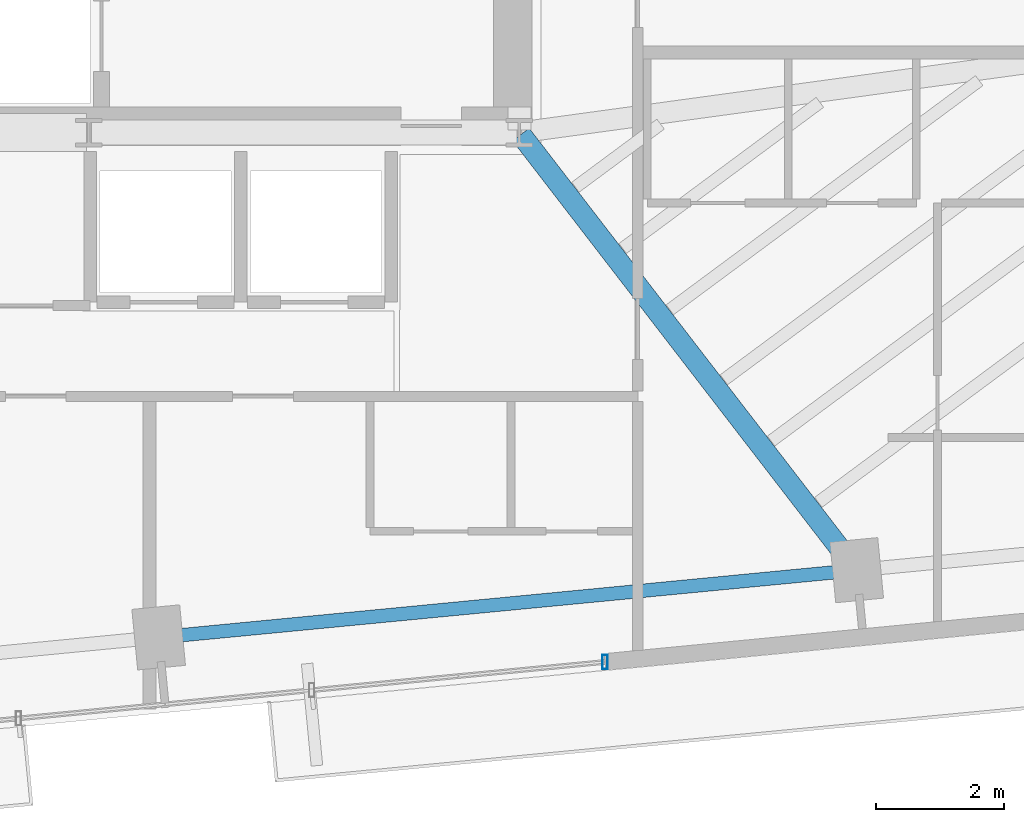
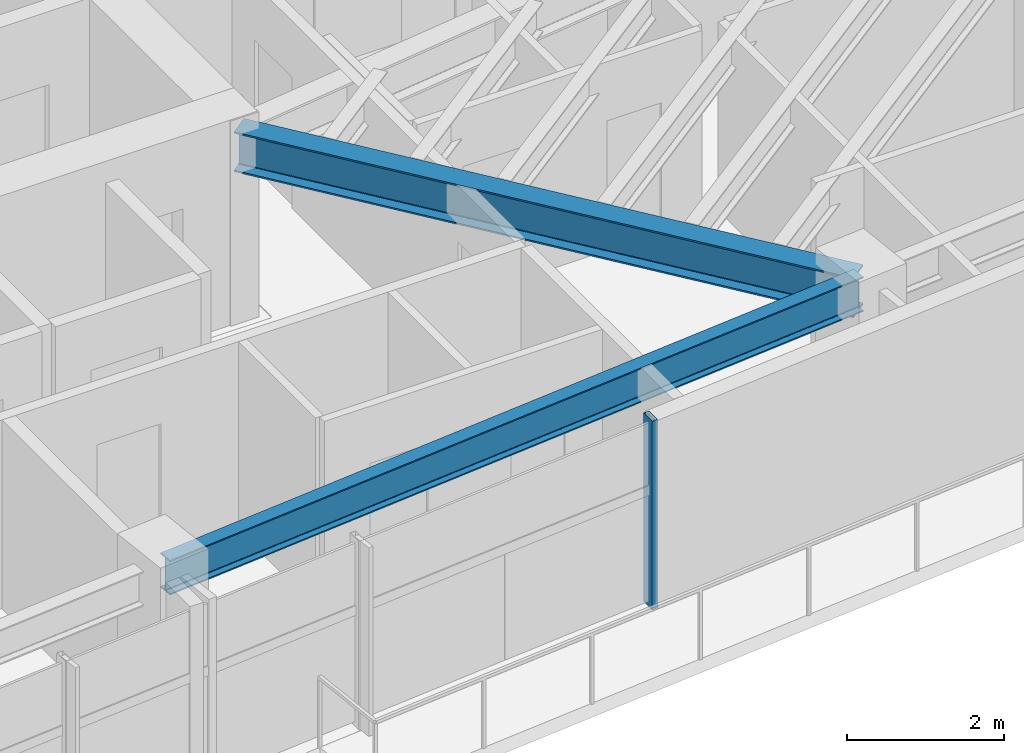
# One storey, part 8 of 18: 2 beams, 1 member, 1 element without a shape of its own.
"""IFC4 building model written with IfcOpenShell, lengths in metres."""

from ifc_helpers import new_model, si_unit, direction, frame, origin, origin_2d, place, context, subcontext, project, spatial, hollow_rectangle, i_section, extrude, source, transform, mapped, material, material_profile, profile_set, type_object, type_shapes, element, aggregate, save


model = new_model("IFC4")

# Units and contexts
model_context = context("Model", 3, precision=1e-05, world=origin(), true_north=direction((0.0, 1.0)))
body_context = subcontext(model_context, "Body", "Model", "MODEL_VIEW")
ifc_project = project(units=[si_unit("LENGTHUNIT", "METRE"), si_unit("AREAUNIT", "SQUARE_METRE"), si_unit("VOLUMEUNIT", "CUBIC_METRE"), si_unit("PLANEANGLEUNIT", "RADIAN"), si_unit("MASSUNIT", "GRAM", prefix="KILO")], contexts=[model_context])

# Site, building, storey
site_placement = place(None, origin())
site = spatial("IfcSite", under=ifc_project, at=site_placement, CompositionType="ELEMENT")
building_placement = place(site_placement, origin())
building = spatial("IfcBuilding", under=site, at=building_placement, Name="Astriad Promenade Condominiums", CompositionType="ELEMENT")
storey_placement = place(building_placement, frame((0.0, 0.0, 205.0)))
storey = spatial("IfcBuildingStorey", under=building, at=storey_placement, Name="L59", CompositionType="ELEMENT", Elevation=205.0)

# Beams
ifc_material_1 = material(Name="Steel ASTM A992 Grade 50", Category="steel")
ifc_material_profile_1 = material_profile(ifc_material_1, i_section(OverallWidth=0.210693359375, OverallDepth=0.53955078125, WebThickness=0.01171875, FlangeThickness=0.018798828125, FilletRadius=0.0166015625, at=origin_2d()), Name="W21X73")
ifc_profile_set_1 = profile_set([ifc_material_profile_1], Name="Steel ASTM A992 Grade 50")
beam_type_1 = type_object("IfcBeamType", Name="STEEL SPANDREL BEAM W21X73", PredefinedType="SPANDREL", material=ifc_profile_set_1)
shared_shape_1 = source(origin(), body_context, "Body", "SweptSolid", [
    extrude(i_section(OverallWidth=0.210693359375, OverallDepth=0.53955078125, WebThickness=0.01171875, FlangeThickness=0.018798828125, FilletRadius=0.0166015625, at=origin_2d()), origin(), (0.0, 0.0, 1.0), 10.8701171875),
])
type_shapes(beam_type_1, [shared_shape_1])
beam_1_placement = place(storey_placement, frame((40.008544921875, 9.520751953125, 2.67041015625), z_axis=(0.995397128983, 0.095836087217, 0.0), x_axis=(-0.095836087217, 0.995397128983, 0.0)))
element("IfcBeam", 1, at=beam_1_placement, inside=storey, type_object=beam_type_1, Name="Perimeter Spandrel Beam SP-S3-L59", PredefinedType="SPANDREL", context=body_context, shape_type="MappedRepresentation", body=[
    mapped(shared_shape_1, transform((0.0, 0.0, 0.0), scale=1.0)),
])
ifc_material_profile_2 = material_profile(ifc_material_1, i_section(OverallWidth=0.326416015625, OverallDepth=0.621826171875, WebThickness=0.015380859375, FlangeThickness=0.0244140625, FilletRadius=0.017822265625, at=origin_2d()), Name="W24X131")
ifc_profile_set_2 = profile_set([ifc_material_profile_2], Name="Steel ASTM A992 Grade 50")
beam_type_2 = type_object("IfcBeamType", Name="STEEL FLOOR GIRDER W24X131", PredefinedType="BEAM", material=ifc_profile_set_2)
shared_shape_2 = source(origin(), body_context, "Body", "SweptSolid", [
    extrude(i_section(OverallWidth=0.326416015625, OverallDepth=0.621826171875, WebThickness=0.015380859375, FlangeThickness=0.0244140625, FilletRadius=0.017822265625, at=origin_2d()), origin(), (0.0, 0.0, 1.0), 8.548583984375),
])
type_shapes(beam_type_2, [shared_shape_2])
beam_2_placement = place(storey_placement, frame((50.843994140625, 10.59814453125, 2.629150390625), z_axis=(-0.610561975536, 0.791968480452, 0.0), x_axis=(-0.791968480452, -0.610561975536, 0.0)))
element("IfcBeam", 2, at=beam_2_placement, inside=storey, type_object=beam_type_2, Name="Primary Floor Girder PG-E2-L59", PredefinedType="BEAM", context=body_context, shape_type="MappedRepresentation", body=[
    mapped(shared_shape_2, transform((0.0, 0.0, 0.0), scale=1.0)),
])

# Curtain wall, member
ifc_material_2 = material(Name="Anodised aluminium Black Dark Glass Unitised", Category="aluminium")
curtain_wall_type = type_object("IfcCurtainWallType", Name="CW-B34-DARK", PredefinedType="USERDEFINED", material=ifc_material_2)
curtain_wall_placement = place(storey_placement, origin())
curtain_wall = element("IfcCurtainWall", 3, at=curtain_wall_placement, inside=storey, type_object=curtain_wall_type, Name="CW-L59-S", ObjectType="UNITISED_CURTAIN_WALL", PredefinedType="USERDEFINED")
ifc_material_3 = material(Name="Anodised aluminium 6063-T6 Black", Category="aluminium")
ifc_material_profile_3 = material_profile(ifc_material_3, hollow_rectangle(XDim=0.0849609375, YDim=0.219970703125, WallThickness=0.0048828125, at=origin_2d()), Name="ALU-MUL-85X220")
ifc_profile_set_3 = profile_set([ifc_material_profile_3], Name="Anodised aluminium 6063-T6 Black")
member_type = type_object("IfcMemberType", Name="MUL-ALU-MUL-85X220", PredefinedType="MULLION", material=ifc_profile_set_3)
shared_shape_3 = source(origin(), body_context, "Body", "SweptSolid", [
    extrude(hollow_rectangle(XDim=0.0849609375, YDim=0.219970703125, WallThickness=0.0048828125, at=origin_2d()), origin(), (0.0, 0.0, 1.0), 2.93994140625),
])
type_shapes(member_type, [shared_shape_3])
member_placement = place(storey_placement, frame((46.9375, 9.133056640625, 0.0), z_axis=(0.0, 0.0, 1.0), x_axis=(1.0, 0.0, 0.0)))
member = element("IfcMember", 4, at=member_placement, type_object=member_type, Name="CW-L59-S-MUL-00", PredefinedType="MULLION", context=body_context, shape_type="MappedRepresentation", body=[
    mapped(shared_shape_3, transform((0.0, 0.0, 0.0), scale=1.0)),
])
aggregate(curtain_wall, [member])

save(model, "model.ifc")
